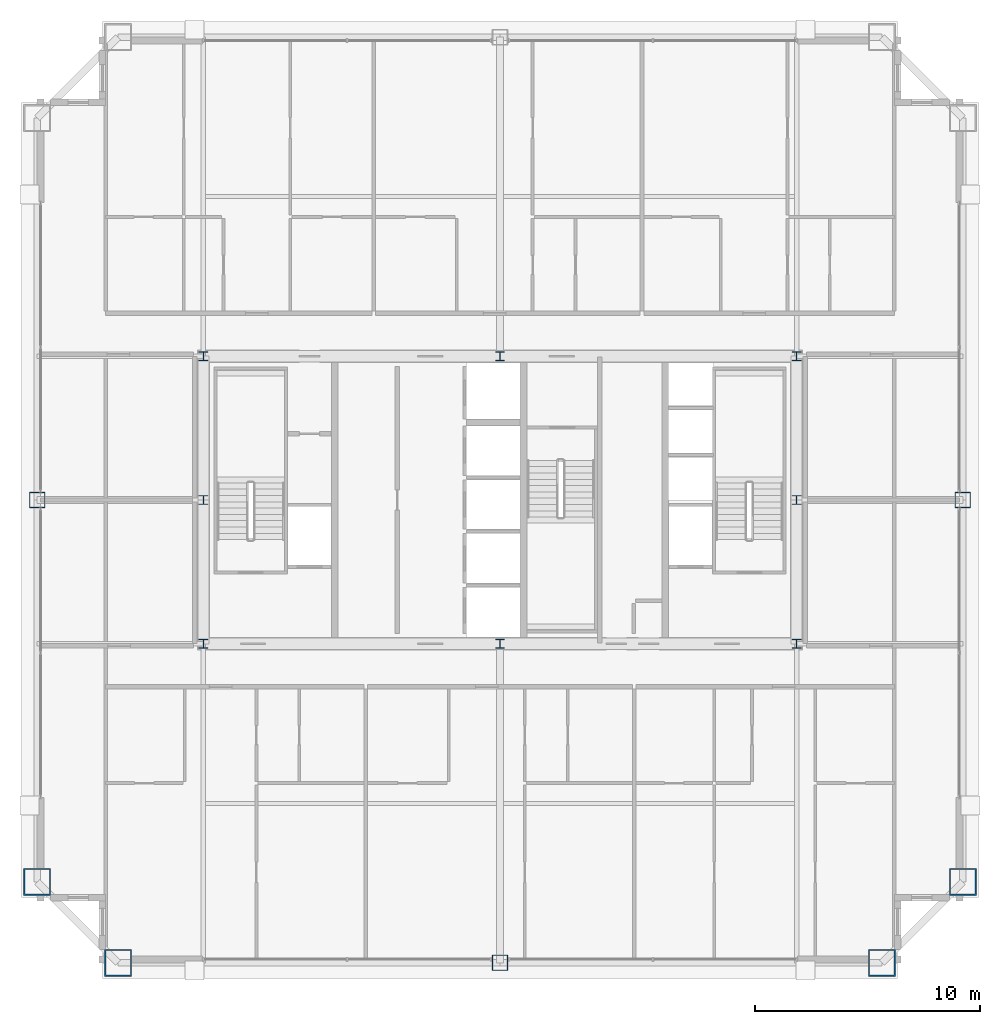
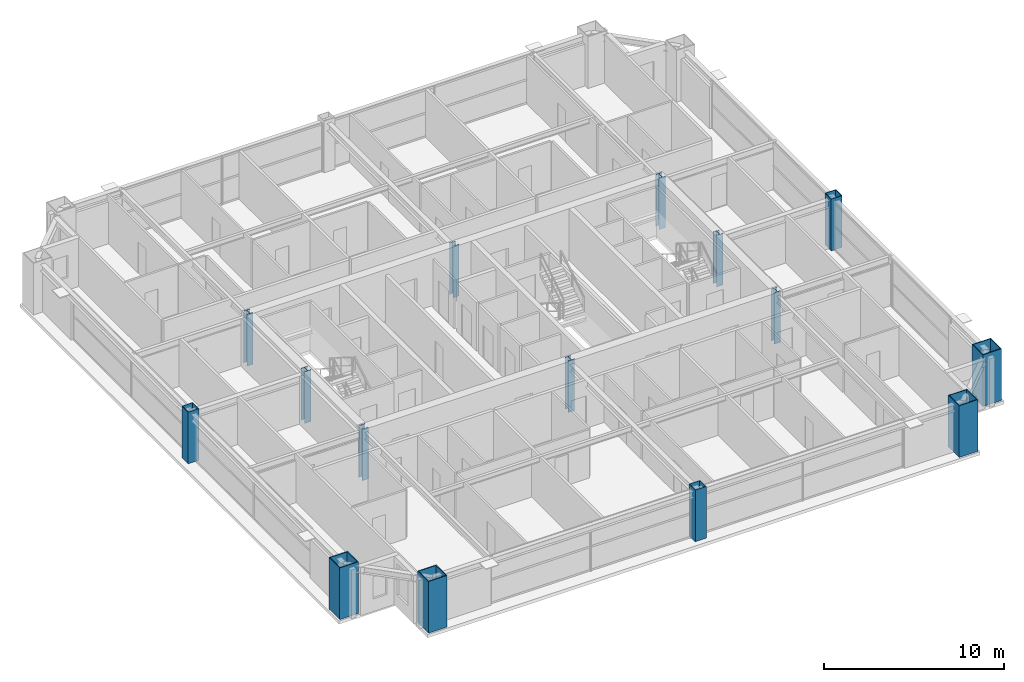
# One storey, part 1 of 37: 15 columns.
"""IFC4 building model written with IfcOpenShell, lengths in metres."""

from ifc_helpers import new_model, si_unit, direction, frame, origin, origin_2d, place, context, subcontext, project, spatial, hollow_rectangle, i_section, extrude, source, transform, mapped, material, material_profile, profile_set, type_object, element, save


model = new_model("IFC4")

# Units and contexts
model_context = context("Model", 3, precision=1e-05, world=origin(), true_north=direction((0.0, 1.0)))
body_context = subcontext(model_context, "Body", "Model", "MODEL_VIEW")
ifc_project = project(units=[si_unit("LENGTHUNIT", "METRE"), si_unit("AREAUNIT", "SQUARE_METRE"), si_unit("VOLUMEUNIT", "CUBIC_METRE"), si_unit("PLANEANGLEUNIT", "RADIAN"), si_unit("MASSUNIT", "GRAM", prefix="KILO"), si_unit("THERMODYNAMICTEMPERATUREUNIT", "KELVIN"), si_unit("POWERUNIT", "WATT")], contexts=[model_context])

# Site, building, storey
site_placement = place(None, origin())
site = spatial("IfcSite", under=ifc_project, at=site_placement, CompositionType="ELEMENT")
building_placement = place(site_placement, origin())
building = spatial("IfcBuilding", under=site, at=building_placement, Name="Yuzanri Waterfront Tower", CompositionType="ELEMENT")
storey_placement = place(building_placement, frame((0.0, 0.0, 245.10009765625)))
storey = spatial("IfcBuildingStorey", under=building, at=storey_placement, Name="L65", CompositionType="ELEMENT", Elevation=245.10009765625)

# Columns
ifc_material_1 = material(Name="Steel Q355B", Category="steel")
ifc_material_profile_1 = material_profile(ifc_material_1, i_section(OverallWidth=0.39990234375, OverallDepth=0.39990234375, WebThickness=0.012939453125, FlangeThickness=0.02099609375, at=origin_2d()), Name="HW 400x400x13x21")
ifc_profile_set_1 = profile_set([ifc_material_profile_1], Name="Steel Q355B")
column_type_1 = type_object("IfcColumnType", Name="Core Post Q355B HW 400x400x13x21", PredefinedType="COLUMN", material=ifc_profile_set_1)
shared_shape_1 = source(origin(), body_context, "Body", "SweptSolid", [
    extrude(i_section(OverallWidth=0.39990234375, OverallDepth=0.39990234375, WebThickness=0.012939453125, FlangeThickness=0.02099609375, at=origin_2d()), origin(), (0.0, 0.0, 1.0), 3.5),
])
for number, where, z_axis, x_axis, name in (
    (1, (23.800048828125, 19.39990234375, 0.0), (0.0, 0.0, 1.0), (1.0, 0.0, 0.0), "L65 Core Boundary Column CP1"),
    (2, (37.0, 19.39990234375, 0.0), (0.0, 0.0, 1.0), (1.0, 0.0, 0.0), "L65 Core Boundary Column CP2"),
    (3, (50.199951171875, 19.39990234375, 0.0), (0.0, 0.0, 1.0), (1.0, 0.0, 0.0), "L65 Core Boundary Column CP3"),
    (4, (23.800048828125, 25.800048828125, 0.0), (0.0, 0.0, 1.0), (1.0, 0.0, 0.0), "L65 Core Boundary Column CP4"),
    (5, (50.199951171875, 25.800048828125, 0.0), (0.0, 0.0, 1.0), (1.0, 0.0, 0.0), "L65 Core Boundary Column CP5"),
    (6, (23.800048828125, 32.199951171875, 0.0), (0.0, 0.0, 1.0), (1.0, 0.0, 0.0), "L65 Core Boundary Column CP6"),
    (7, (37.0, 32.199951171875, 0.0), (0.0, 0.0, 1.0), (1.0, 0.0, 0.0), "L65 Core Boundary Column CP7"),
    (8, (50.199951171875, 32.199951171875, 0.0), (0.0, 0.0, 1.0), (1.0, 0.0, 0.0), "L65 Core Boundary Column CP8"),
):
    element("IfcColumn", number, at=place(storey_placement, frame(where, z_axis=z_axis, x_axis=x_axis)), inside=storey, type_object=column_type_1, Name=name, PredefinedType="COLUMN", context=body_context, shape_type="MappedRepresentation", body=[
        mapped(shared_shape_1, transform((0.0, 0.0, 0.0), scale=1.0)),
    ])
ifc_material_2 = material(Name="Steel Q390GJC", Category="steel")
ifc_material_profile_2 = material_profile(ifc_material_2, hollow_rectangle(XDim=1.199951171875, YDim=1.199951171875, WallThickness=0.054931640625, at=origin_2d()), Name="RHS 1200x1200x55")
ifc_profile_set_2 = profile_set([ifc_material_profile_2], Name="Steel Q390GJC")
column_type_2 = type_object("IfcColumnType", Name="Mega Column Q390GJC RHS 1200x1200x55", PredefinedType="COLUMN", material=ifc_profile_set_2)
shared_shape_2 = source(origin(), body_context, "Body", "SweptSolid", [
    extrude(hollow_rectangle(XDim=1.199951171875, YDim=1.199951171875, WallThickness=0.054931640625, at=origin_2d()), origin(), (0.0, 0.0, 1.0), 3.5),
])
for number, where, z_axis, x_axis, name in (
    (9, (20.0, 5.199951171875, 0.0), (0.0, 0.0, 1.0), (1.0, 0.0, 0.0), "L65 Perimeter Mega Column S1"),
    (10, (54.0, 5.199951171875, 0.0), (0.0, 0.0, 1.0), (1.0, 0.0, 0.0), "L65 Perimeter Mega Column S3"),
    (11, (16.39990234375, 8.800048828125, 0.0), (0.0, 0.0, 1.0), (1.0, 0.0, 0.0), "L65 Perimeter Mega Column W1"),
    (12, (57.60009765625, 8.800048828125, 0.0), (0.0, 0.0, 1.0), (1.0, 0.0, 0.0), "L65 Perimeter Mega Column E1"),
):
    element("IfcColumn", number, at=place(storey_placement, frame(where, z_axis=z_axis, x_axis=x_axis)), inside=storey, type_object=column_type_2, Name=name, PredefinedType="COLUMN", context=body_context, shape_type="MappedRepresentation", body=[
        mapped(shared_shape_2, transform((0.0, 0.0, 0.0), scale=1.0)),
    ])
ifc_material_3 = material(Name="Steel Q355B", Category="steel")
ifc_material_profile_3 = material_profile(ifc_material_3, hollow_rectangle(XDim=0.699951171875, YDim=0.699951171875, WallThickness=0.031982421875, at=origin_2d()), Name="RHS 700x700x32")
ifc_profile_set_3 = profile_set([ifc_material_profile_3], Name="Steel Q355B")
column_type_3 = type_object("IfcColumnType", Name="Frame Column Q355B RHS 700x700x32", PredefinedType="COLUMN", material=ifc_profile_set_3)
shared_shape_3 = source(origin(), body_context, "Body", "SweptSolid", [
    extrude(hollow_rectangle(XDim=0.699951171875, YDim=0.699951171875, WallThickness=0.031982421875, at=origin_2d()), origin(), (0.0, 0.0, 1.0), 3.5),
])
for number, where, z_axis, x_axis, name in (
    (13, (37.0, 5.199951171875, 0.0), (0.0, 0.0, 1.0), (1.0, 0.0, 0.0), "L65 Perimeter Frame Column S2"),
    (14, (16.39990234375, 25.800048828125, 0.0), (0.0, 0.0, 1.0), (1.0, 0.0, 0.0), "L65 Perimeter Frame Column W2"),
    (15, (57.60009765625, 25.800048828125, 0.0), (0.0, 0.0, 1.0), (1.0, 0.0, 0.0), "L65 Perimeter Frame Column E2"),
):
    element("IfcColumn", number, at=place(storey_placement, frame(where, z_axis=z_axis, x_axis=x_axis)), inside=storey, type_object=column_type_3, Name=name, PredefinedType="COLUMN", context=body_context, shape_type="MappedRepresentation", body=[
        mapped(shared_shape_3, transform((0.0, 0.0, 0.0), scale=1.0)),
    ])

save(model, "model.ifc")
